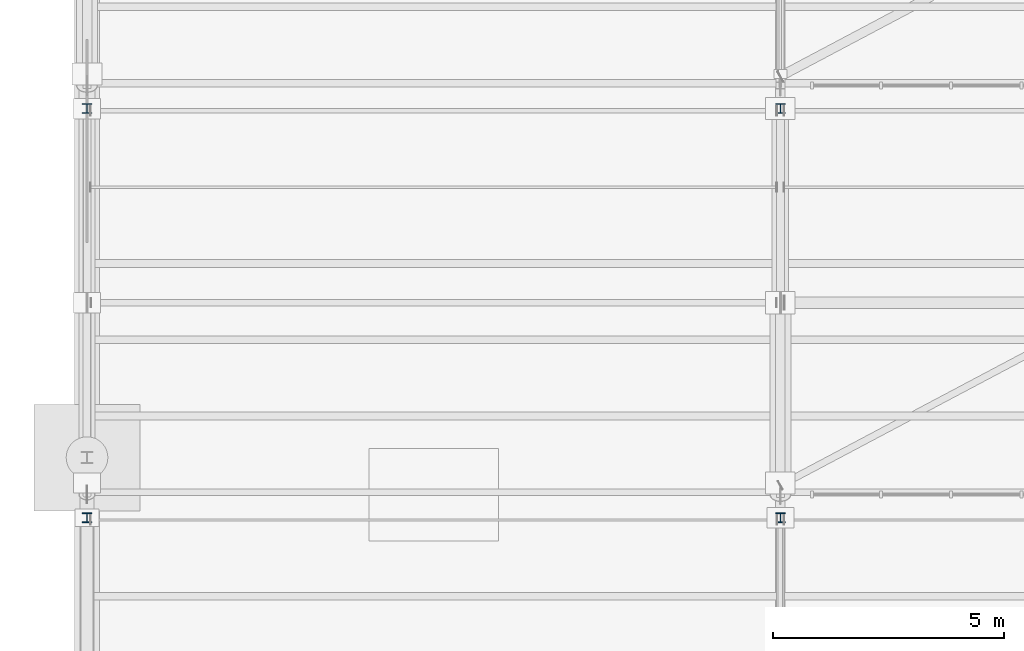
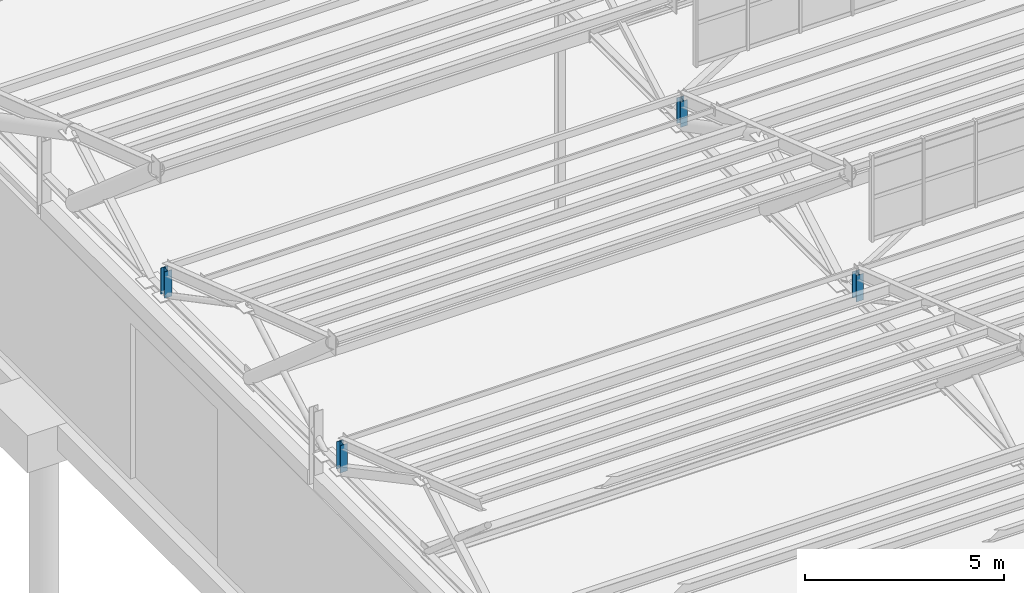
# One storey, part 144 of 285: 4 members.
"""IFC4 building model written with IfcOpenShell, lengths in metres."""

from ifc_helpers import new_model, si_unit, direction, frame, origin, origin_2d, place, context, subcontext, project, spatial, i_section, extrude, material, material_profile, profile_set, type_object, element, save


model = new_model("IFC4")

# Units and contexts
model_context = context("Model", 3, precision=1e-05, world=origin(), true_north=direction((0.0, 1.0)))
body_context = subcontext(model_context, "Body", "Model", "MODEL_VIEW")
ifc_project = project(units=[si_unit("LENGTHUNIT", "METRE"), si_unit("AREAUNIT", "SQUARE_METRE"), si_unit("VOLUMEUNIT", "CUBIC_METRE"), si_unit("PLANEANGLEUNIT", "RADIAN"), si_unit("MASSUNIT", "GRAM", prefix="KILO")], contexts=[model_context])

# Site, building, storey
site_placement = place(None, origin())
site = spatial("IfcSite", under=ifc_project, at=site_placement, CompositionType="ELEMENT")
building_placement = place(site_placement, origin())
building = spatial("IfcBuilding", under=site, at=building_placement, Name="Solanera Park Tramway Depot", CompositionType="ELEMENT")
storey_placement = place(building_placement, origin())
storey = spatial("IfcBuildingStorey", under=building, at=storey_placement, Name="L00", CompositionType="ELEMENT", Elevation=0.0)

# Members
ifc_material = material(Name="Steel AS/NZS 3679.1 Grade 350", Category="steel")
ifc_material_profile = material_profile(ifc_material, i_section(OverallWidth=0.205078125, OverallDepth=0.209716796875, WebThickness=0.00927734375, FlangeThickness=0.01416015625, at=origin_2d()), Name="200UC59.5")
ifc_profile_set = profile_set([ifc_material_profile], Name="Steel AS/NZS 3679.1 Grade 350")
member_type = type_object("IfcMemberType", Name="Roof Gantry Compression Strut 200UC59.5", PredefinedType="STRUT", material=ifc_profile_set)
member_1_placement = place(storey_placement, frame((0.0, 99.5, 6.5), z_axis=(0.0, 0.0, 1.0), x_axis=(1.0, 0.0, 0.0)))
element("IfcMember", 1, at=member_1_placement, inside=storey, type_object=member_type, Name="Sawtooth ROOF TRUSS Valley Post 200UC59.5 #0041", PredefinedType="STRUT", context=body_context, shape_type="SweptSolid", body=[
    extrude(i_section(OverallWidth=0.205078125, OverallDepth=0.209716796875, WebThickness=0.00927734375, FlangeThickness=0.01416015625, at=origin_2d()), origin(), (0.0, 0.0, 1.0), 0.83740234375),
])
for number, where, z_axis, x_axis, name in (
    (2, (15.0, 99.5, 6.5), (0.0, 0.0, 1.0), (1.0, 0.0, 0.0), "Sawtooth ROOF TRUSS Valley Post 200UC59.5 #0042"),
    (3, (0.0, 108.35009765625, 6.5), (0.0, 0.0, 1.0), (1.0, 0.0, 0.0), "Sawtooth ROOF TRUSS Valley Post 200UC59.5 #0052"),
):
    element("IfcMember", number, at=place(storey_placement, frame(where, z_axis=z_axis, x_axis=x_axis)), inside=storey, type_object=member_type, Name=name, PredefinedType="STRUT", context=body_context, shape_type="SweptSolid", body=[
        extrude(i_section(OverallWidth=0.205078125, OverallDepth=0.209716796875, WebThickness=0.00927734375, FlangeThickness=0.01416015625, at=origin_2d()), origin(), (0.0, 0.0, 1.0), 0.81298828125),
    ])
member_2_placement = place(storey_placement, frame((15.0, 108.35009765625, 6.5), z_axis=(0.0, 0.0, 1.0), x_axis=(1.0, 0.0, 0.0)))
element("IfcMember", 4, at=member_2_placement, inside=storey, type_object=member_type, Name="Sawtooth ROOF TRUSS Valley Post 200UC59.5 #0053", PredefinedType="STRUT", context=body_context, shape_type="SweptSolid", body=[
    extrude(i_section(OverallWidth=0.205078125, OverallDepth=0.209716796875, WebThickness=0.00927734375, FlangeThickness=0.01416015625, at=origin_2d()), origin(), (0.0, 0.0, 1.0), 0.78759765625),
])

save(model, "model.ifc")
